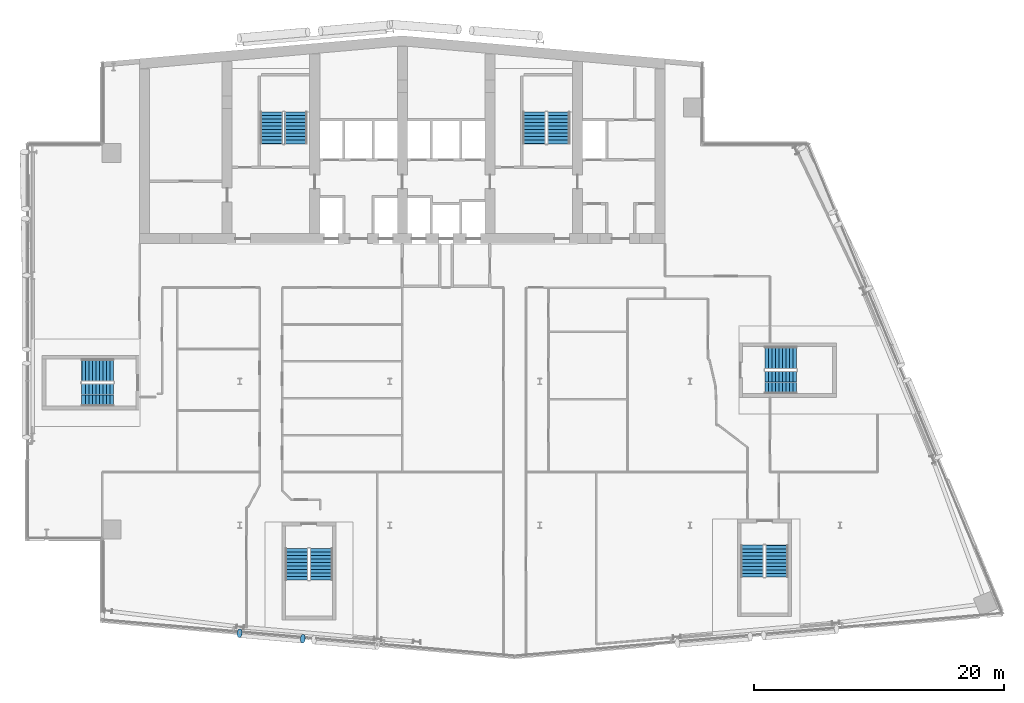
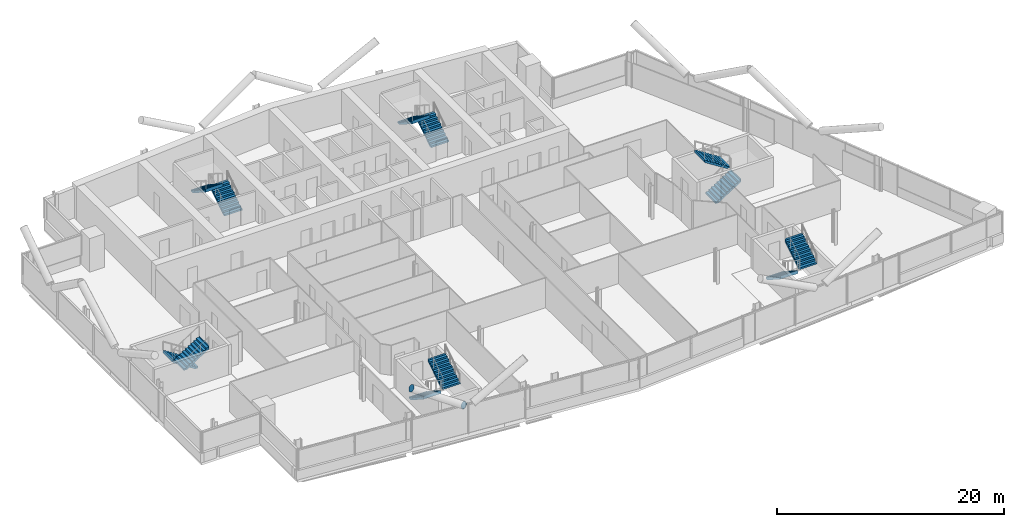
# One storey, part 19 of 26: 12 stair flights, 2 discrete accessories, 6 elements without a shape of their own.
"""IFC4 building model written with IfcOpenShell, lengths in metres."""

import ifcopenshell
import ifcopenshell.guid

model = None  # the IFC model being written
_history = None  # IfcOwnerHistory: only IFC2X3 demands one
_inside = {}  # id of a spatial element -> (the spatial element, [elements in it])
_under = {}  # id of a project, library or spatial element -> (it, [spatial elements below it])
_declared = {}  # id of a project -> (the project, [libraries it declares])
_typed = {}  # id of a type object -> (the type object, [elements of that type])
_made_of = {}  # id of a material, layer set ... -> (it, [elements and type objects made of it])


def new_model(schema):
    """Start an empty IFC model of exactly this schema.

    Asked for "IFC4X3", IfcOpenShell would pick the latest addendum, in which some entities
    have other attributes; the version numbers below select the first issue.
    IFC2X3 requires an IfcOwnerHistory on every rooted entity: one is made here for all.
    """
    global model, _history
    if schema == "IFC4X3":
        model = ifcopenshell.file(schema_version=(4, 3, 0, 0))
    else:
        model = ifcopenshell.file(schema=schema)
    _inside.clear()
    _under.clear()
    _declared.clear()
    _typed.clear()
    _made_of.clear()
    _history = None
    if model.schema == "IFC2X3":
        org = make("IfcOrganization", Name="unknown")
        user = make(
            "IfcPersonAndOrganization",
            ThePerson=make("IfcPerson", FamilyName="unknown"),
            TheOrganization=org,
        )
        app = make(
            "IfcApplication",
            ApplicationDeveloper=org,
            Version="unknown",
            ApplicationFullName="unknown",
            ApplicationIdentifier="unknown",
        )
        _history = make(
            "IfcOwnerHistory",
            OwningUser=user,
            OwningApplication=app,
            ChangeAction="ADDED",
            CreationDate=0,
        )
    return model


def make(cls, **values):
    """One entity of the class cls with the attributes given. An attribute that is None is left unset."""
    return model.create_entity(
        cls, **{name: value for name, value in values.items() if value is not None}
    )


def rooted(cls, **values):
    """An entity with a GlobalId (a new one), such as an element, a storey or a relation."""
    return make(cls, GlobalId=ifcopenshell.guid.new(), OwnerHistory=_history, **values)


def si_unit(unit_type, name, prefix=None):
    """IfcSIUnit, for example si_unit("LENGTHUNIT", "METRE", prefix="MILLI")."""
    return make("IfcSIUnit", UnitType=unit_type, Prefix=prefix, Name=name)


def assignment(units):
    """IfcUnitAssignment: the units of a project."""
    return None if units is None else make("IfcUnitAssignment", Units=units)


def point(xyz):
    """IfcCartesianPoint."""
    return None if xyz is None else make("IfcCartesianPoint", Coordinates=xyz)


def direction(xyz):
    """IfcDirection."""
    return None if xyz is None else make("IfcDirection", DirectionRatios=xyz)


def frame(location, z_axis=None, x_axis=None):
    """IfcAxis2Placement3D, a coordinate frame: its origin and axes. An axis left out is left unset."""
    return make(
        "IfcAxis2Placement3D",
        Location=point(location),
        Axis=direction(z_axis),
        RefDirection=direction(x_axis),
    )


def frame_2d(location, x_axis=None):
    """IfcAxis2Placement2D, a coordinate frame in the plane: its origin and x axis."""
    return make(
        "IfcAxis2Placement2D", Location=point(location), RefDirection=direction(x_axis)
    )


def origin():
    """The frame at (0, 0, 0) with its axes left unset."""
    return frame((0.0, 0.0, 0.0))


def origin_2d():
    """The frame at (0, 0) in the plane with its x axis left unset."""
    return frame_2d((0.0, 0.0))


def place(relative_to, where):
    """IfcLocalPlacement: puts the frame where relative to a parent placement (None: the world)."""
    return make(
        "IfcLocalPlacement", PlacementRelTo=relative_to, RelativePlacement=where
    )


def context(
    kind, dimensions, precision=None, world=None, true_north=None, identifier=None
):
    """IfcGeometricRepresentationContext, for example the 3D "Model" context."""
    return make(
        "IfcGeometricRepresentationContext",
        ContextIdentifier=identifier,
        ContextType=kind,
        CoordinateSpaceDimension=dimensions,
        Precision=precision,
        WorldCoordinateSystem=world,
        TrueNorth=true_north,
    )


def subcontext(parent, identifier, kind, view, scale=None):
    """IfcGeometricRepresentationSubContext, for example "Body" below "Model"."""
    return make(
        "IfcGeometricRepresentationSubContext",
        ContextIdentifier=identifier,
        ContextType=kind,
        ParentContext=parent,
        TargetScale=scale,
        TargetView=view,
    )


def project(units=None, contexts=None):
    """IfcProject with its units and contexts."""
    return rooted(
        "IfcProject",
        Name="project",
        RepresentationContexts=contexts,
        UnitsInContext=assignment(units),
    )


def spatial(cls, under=None, at=None, **own):
    """A site, building, storey or space (cls), placed at a placement, below another one or the project."""
    s = rooted(cls, ObjectPlacement=at, **own)
    if under is not None:
        _under.setdefault(under.id(), (under, []))[1].append(s)
    return s


def polyline(points):
    """IfcPolyline through the points."""
    return make("IfcPolyline", Points=[point(p) for p in points])


def profile(cls, at=None, kind="AREA", **sizes):
    """A parametric profile (cls). Its sizes go by their IFC names, for example OverallWidth=200.0."""
    return make(cls, ProfileType=kind, Position=at, **sizes)


def circle(**sizes):
    """IfcCircleProfileDef."""
    return profile("IfcCircleProfileDef", **sizes)


def outline(outer, holes=None, kind="AREA"):
    """IfcArbitraryClosedProfileDef: a profile drawn as a closed curve; with holes, ...WithVoids."""
    if holes is None:
        return make("IfcArbitraryClosedProfileDef", ProfileType=kind, OuterCurve=outer)
    return make(
        "IfcArbitraryProfileDefWithVoids",
        ProfileType=kind,
        OuterCurve=outer,
        InnerCurves=holes,
    )


def extrude(swept, where, along, depth):
    """IfcExtrudedAreaSolid: the profile swept, set in the frame where, extruded along a direction by depth."""
    return make(
        "IfcExtrudedAreaSolid",
        SweptArea=swept,
        Position=where,
        ExtrudedDirection=direction(along),
        Depth=depth,
    )


def shape(context_of_items, identifier, shape_type, items):
    """IfcShapeRepresentation: the items that make up one representation, for example the "Body"."""
    return make(
        "IfcShapeRepresentation",
        ContextOfItems=context_of_items,
        RepresentationIdentifier=identifier,
        RepresentationType=shape_type,
        Items=items,
    )


def material(Name=None, Category=None):
    """IfcMaterial."""
    return make("IfcMaterial", Name=Name, Category=Category)


def material_profile(
    of_material, cross_section, Name=None, Category=None, Priority=None
):
    """IfcMaterialProfile: a cross section and its material."""
    return make(
        "IfcMaterialProfile",
        Name=Name,
        Material=of_material,
        Profile=cross_section,
        Priority=Priority,
        Category=Category,
    )


def profile_set(profiles, Name=None, composite=None):
    """IfcMaterialProfileSet."""
    return make(
        "IfcMaterialProfileSet",
        Name=Name,
        MaterialProfiles=profiles,
        CompositeProfile=composite,
    )


def made_of(thing, what):
    """Note that an element or type object is made of a material, layer set ...; save() writes the relation."""
    if what is not None:
        _made_of.setdefault(what.id(), (what, []))[1].append(thing)
    return thing


def type_object(cls, material=None, **own):
    """A type object (cls), such as IfcWallType, which elements share."""
    return made_of(rooted(cls, **own), material)


def element(
    cls,
    number,
    at=None,
    inside=None,
    cuts=None,
    type_object=None,
    material=None,
    context=None,
    identifier="Body",
    shape_type=None,
    held_by="IfcProductDefinitionShape",
    body=None,
    shapes=None,
    **own,
):
    """One element of the class cls, such as IfcWall. Its Tag is "e" and its number.

    at: its placement. inside: the storey or other place that contains it. cuts: it is an
    opening in that element (IfcRelVoidsElement). A single representation is given by context,
    identifier, shape_type and body (its items); several are given by shapes. held_by: the class
    of the entity that holds the representations. save() writes the other relations.
    """
    e = rooted(cls, Tag="e%d" % number, ObjectPlacement=at, **own)
    if body is not None:
        shapes = [shape(context, identifier, shape_type, body)]
    if shapes is not None:
        e.Representation = make(held_by, Representations=shapes)
    if inside is not None:
        _inside.setdefault(inside.id(), (inside, []))[1].append(e)
    if cuts is not None:
        rooted(
            "IfcRelVoidsElement", RelatingBuildingElement=cuts, RelatedOpeningElement=e
        )
    if type_object is not None:
        _typed.setdefault(type_object.id(), (type_object, []))[1].append(e)
    return made_of(e, material)


def aggregate(whole, parts):
    """IfcRelAggregates: a whole, such as a stair, and the parts it consists of."""
    return rooted("IfcRelAggregates", RelatingObject=whole, RelatedObjects=parts)


def save(model, path):
    """Write the relations noted so far, then the file.

    IfcRelAggregates (storeys below a building ...), IfcRelContainedInSpatialStructure (elements
    in a storey), IfcRelDefinesByType, IfcRelAssociatesMaterial and IfcRelDeclares: one each for
    every whole, place, type object, material and project.
    """
    for whole, parts in _under.values():
        aggregate(whole, parts)
    for where, things in _inside.values():
        rooted(
            "IfcRelContainedInSpatialStructure",
            RelatedElements=things,
            RelatingStructure=where,
        )
    for kind, things in _typed.values():
        rooted("IfcRelDefinesByType", RelatedObjects=things, RelatingType=kind)
    for what, things in _made_of.values():
        rooted("IfcRelAssociatesMaterial", RelatedObjects=things, RelatingMaterial=what)
    for by, libraries in _declared.values():
        rooted("IfcRelDeclares", RelatingContext=by, RelatedDefinitions=libraries)
    model.write(path)


model = new_model("IFC4")

# Units and contexts
model_context = context("Model", 3, precision=1e-05, world=origin(), true_north=direction((0.0, 1.0)))
body_context = subcontext(model_context, "Body", "Model", "MODEL_VIEW")
ifc_project = project(units=[si_unit("LENGTHUNIT", "METRE"), si_unit("AREAUNIT", "SQUARE_METRE"), si_unit("VOLUMEUNIT", "CUBIC_METRE"), si_unit("PLANEANGLEUNIT", "RADIAN"), si_unit("MASSUNIT", "GRAM", prefix="KILO")], contexts=[model_context])

# Site, building, storey
site_placement = place(None, origin())
site = spatial("IfcSite", under=ifc_project, at=site_placement, CompositionType="ELEMENT")
building_placement = place(site_placement, origin())
building = spatial("IfcBuilding", under=site, at=building_placement, Name="Wharfspan Tower", CompositionType="ELEMENT")
storey_placement = place(building_placement, frame((0.0, 0.0, 173.5)))
storey = spatial("IfcBuildingStorey", under=building, at=storey_placement, Name="L42", CompositionType="ELEMENT", Elevation=173.5)

# Stair, stair flights
ifc_material_1 = material(Name="Concrete C40/50", Category="concrete")
stair_type = type_object("IfcStairType", Name="Half-turn stair 20 risers 180 mm", PredefinedType="HALF_TURN_STAIR", material=ifc_material_1)
stair_1_placement = place(storey_placement, origin())
stair_1 = element("IfcStair", 1, at=stair_1_placement, inside=storey, type_object=stair_type, Name="L42 stair ST1", PredefinedType="HALF_TURN_STAIR")
stair_flight_type = type_object("IfcStairFlightType", Name="Stair flight 20 risers 180 mm", PredefinedType="STRAIGHT", material=ifc_material_1)
stair_flight_1_placement = place(storey_placement, frame((28.5, 42.0, 0.0), z_axis=(0.0, 0.0, 1.0), x_axis=(0.0, 1.0, 0.0)))
stair_flight_1 = element("IfcStairFlight", 2, at=stair_flight_1_placement, type_object=stair_flight_type, Name="ST1 flight 1", NumberOfRisers=10, NumberOfTreads=9, PredefinedType="STRAIGHT", RiserHeight=0.18, TreadLength=0.28, context=body_context, shape_type="SweptSolid", body=[
    extrude(outline(polyline([(-0.011963, 0.0), (-0.011963, 0.179932), (0.0, 0.179932), (0.280029, 0.179932), (0.280029, 0.360107), (0.560059, 0.360107), (0.560059, 0.540039), (0.840088, 0.540039), (0.840088, 0.719971), (1.120117, 0.719971), (1.120117, 0.899902), (1.399902, 0.899902), (1.399902, 1.080078), (1.679932, 1.080078), (1.679932, 1.26001), (1.959961, 1.26001), (1.959961, 1.439941), (2.23999, 1.439941), (2.23999, 1.620117), (2.52002, 1.620117), (2.531982, 1.800049), (2.531982, 1.441895), (0.2771, 0.0), (-0.011963, 0.0)])), frame((0.0, 0.899902, 0.0), z_axis=(0.0, -1.0, 0.0), x_axis=(1.0, 0.0, 0.0)), (0.0, 0.0, 1.0), 0.899414),
    extrude(outline(polyline([(-0.011963, 0.0), (-0.011963, 0.179932), (0.0, 0.179932), (0.280029, 0.179932), (0.280029, 0.360107), (0.560059, 0.360107), (0.560059, 0.540039), (0.840088, 0.540039), (0.840088, 0.719971), (1.120117, 0.719971), (1.120117, 0.899902), (1.399902, 0.899902), (1.399902, 1.080078), (1.679932, 1.080078), (1.679932, 1.26001), (1.959961, 1.26001), (1.959961, 1.439941), (2.23999, 1.439941), (2.23999, 1.620117), (2.52002, 1.620117), (2.531982, 1.800049), (2.531982, 1.441895), (0.2771, 0.0), (-0.011963, 0.0)])), frame((0.0, -0.000488, 0.0), z_axis=(0.0, -1.0, 0.0), x_axis=(1.0, 0.0, 0.0)), (0.0, 0.0, 1.0), 0.899414),
])
stair_flight_2_placement = place(storey_placement, frame((26.550049, 44.52002, 1.800049), z_axis=(0.0, 0.0, 1.0), x_axis=(0.0, -1.0, 0.0)))
stair_flight_2 = element("IfcStairFlight", 3, at=stair_flight_2_placement, type_object=stair_flight_type, Name="ST1 flight 2", NumberOfRisers=10, NumberOfTreads=9, PredefinedType="STRAIGHT", RiserHeight=0.18, TreadLength=0.28, context=body_context, shape_type="SweptSolid", body=[
    extrude(outline(polyline([(-0.011963, 0.0), (-0.011963, 0.179932), (0.0, 0.179932), (0.280029, 0.179932), (0.280029, 0.360107), (0.560059, 0.360107), (0.560059, 0.540039), (0.840088, 0.540039), (0.840088, 0.719971), (1.120117, 0.719971), (1.120117, 0.899902), (1.399902, 0.899902), (1.399902, 1.080078), (1.679932, 1.080078), (1.679932, 1.26001), (1.959961, 1.26001), (1.959961, 1.439941), (2.23999, 1.439941), (2.23999, 1.620117), (2.52002, 1.620117), (2.531982, 1.800049), (2.531982, 1.441895), (0.2771, 0.0), (-0.011963, 0.0)])), frame((0.0, 0.899902, 0.0), z_axis=(0.0, -1.0, 0.0), x_axis=(1.0, 0.0, 0.0)), (0.0, 0.0, 1.0), 0.899414),
    extrude(outline(polyline([(-0.011963, 0.0), (-0.011963, 0.179932), (0.0, 0.179932), (0.280029, 0.179932), (0.280029, 0.360107), (0.560059, 0.360107), (0.560059, 0.540039), (0.840088, 0.540039), (0.840088, 0.719971), (1.120117, 0.719971), (1.120117, 0.899902), (1.399902, 0.899902), (1.399902, 1.080078), (1.679932, 1.080078), (1.679932, 1.26001), (1.959961, 1.26001), (1.959961, 1.439941), (2.23999, 1.439941), (2.23999, 1.620117), (2.52002, 1.620117), (2.531982, 1.800049), (2.531982, 1.441895), (0.2771, 0.0), (-0.011963, 0.0)])), frame((0.0, -0.000488, 0.0), z_axis=(0.0, -1.0, 0.0), x_axis=(1.0, 0.0, 0.0)), (0.0, 0.0, 1.0), 0.899414),
])
aggregate(stair_1, [stair_flight_1, stair_flight_2])

stair_2_placement = place(storey_placement, origin())
stair_2 = element("IfcStair", 4, at=stair_2_placement, inside=storey, type_object=stair_type, Name="L42 stair ST2", PredefinedType="HALF_TURN_STAIR")
stair_flight_3_placement = place(storey_placement, frame((49.5, 42.0, 0.0), z_axis=(0.0, 0.0, 1.0), x_axis=(0.0, 1.0, 0.0)))
stair_flight_3 = element("IfcStairFlight", 5, at=stair_flight_3_placement, type_object=stair_flight_type, Name="ST2 flight 1", NumberOfRisers=10, NumberOfTreads=9, PredefinedType="STRAIGHT", RiserHeight=0.18, TreadLength=0.28, context=body_context, shape_type="SweptSolid", body=[
    extrude(outline(polyline([(-0.011963, 0.0), (-0.011963, 0.179932), (0.0, 0.179932), (0.280029, 0.179932), (0.280029, 0.360107), (0.560059, 0.360107), (0.560059, 0.540039), (0.840088, 0.540039), (0.840088, 0.719971), (1.120117, 0.719971), (1.120117, 0.899902), (1.399902, 0.899902), (1.399902, 1.080078), (1.679932, 1.080078), (1.679932, 1.26001), (1.959961, 1.26001), (1.959961, 1.439941), (2.23999, 1.439941), (2.23999, 1.620117), (2.52002, 1.620117), (2.531982, 1.800049), (2.531982, 1.441895), (0.2771, 0.0), (-0.011963, 0.0)])), frame((0.0, 0.899902, 0.0), z_axis=(0.0, -1.0, 0.0), x_axis=(1.0, 0.0, 0.0)), (0.0, 0.0, 1.0), 0.899414),
    extrude(outline(polyline([(-0.011963, 0.0), (-0.011963, 0.179932), (0.0, 0.179932), (0.280029, 0.179932), (0.280029, 0.360107), (0.560059, 0.360107), (0.560059, 0.540039), (0.840088, 0.540039), (0.840088, 0.719971), (1.120117, 0.719971), (1.120117, 0.899902), (1.399902, 0.899902), (1.399902, 1.080078), (1.679932, 1.080078), (1.679932, 1.26001), (1.959961, 1.26001), (1.959961, 1.439941), (2.23999, 1.439941), (2.23999, 1.620117), (2.52002, 1.620117), (2.531982, 1.800049), (2.531982, 1.441895), (0.2771, 0.0), (-0.011963, 0.0)])), frame((0.0, -0.000488, 0.0), z_axis=(0.0, -1.0, 0.0), x_axis=(1.0, 0.0, 0.0)), (0.0, 0.0, 1.0), 0.899414),
])
stair_flight_4_placement = place(storey_placement, frame((47.550049, 44.52002, 1.800049), z_axis=(0.0, 0.0, 1.0), x_axis=(0.0, -1.0, 0.0)))
stair_flight_4 = element("IfcStairFlight", 6, at=stair_flight_4_placement, type_object=stair_flight_type, Name="ST2 flight 2", NumberOfRisers=10, NumberOfTreads=9, PredefinedType="STRAIGHT", RiserHeight=0.18, TreadLength=0.28, context=body_context, shape_type="SweptSolid", body=[
    extrude(outline(polyline([(-0.011963, 0.0), (-0.011963, 0.179932), (0.0, 0.179932), (0.280029, 0.179932), (0.280029, 0.360107), (0.560059, 0.360107), (0.560059, 0.540039), (0.840088, 0.540039), (0.840088, 0.719971), (1.120117, 0.719971), (1.120117, 0.899902), (1.399902, 0.899902), (1.399902, 1.080078), (1.679932, 1.080078), (1.679932, 1.26001), (1.959961, 1.26001), (1.959961, 1.439941), (2.23999, 1.439941), (2.23999, 1.620117), (2.52002, 1.620117), (2.531982, 1.800049), (2.531982, 1.441895), (0.2771, 0.0), (-0.011963, 0.0)])), frame((0.0, 0.899902, 0.0), z_axis=(0.0, -1.0, 0.0), x_axis=(1.0, 0.0, 0.0)), (0.0, 0.0, 1.0), 0.899414),
    extrude(outline(polyline([(-0.011963, 0.0), (-0.011963, 0.179932), (0.0, 0.179932), (0.280029, 0.179932), (0.280029, 0.360107), (0.560059, 0.360107), (0.560059, 0.540039), (0.840088, 0.540039), (0.840088, 0.719971), (1.120117, 0.719971), (1.120117, 0.899902), (1.399902, 0.899902), (1.399902, 1.080078), (1.679932, 1.080078), (1.679932, 1.26001), (1.959961, 1.26001), (1.959961, 1.439941), (2.23999, 1.439941), (2.23999, 1.620117), (2.52002, 1.620117), (2.531982, 1.800049), (2.531982, 1.441895), (0.2771, 0.0), (-0.011963, 0.0)])), frame((0.0, -0.000488, 0.0), z_axis=(0.0, -1.0, 0.0), x_axis=(1.0, 0.0, 0.0)), (0.0, 0.0, 1.0), 0.899414),
])
aggregate(stair_2, [stair_flight_3, stair_flight_4])

stair_3_placement = place(storey_placement, origin())
stair_3 = element("IfcStair", 7, at=stair_3_placement, inside=storey, type_object=stair_type, Name="L42 stair ST3", PredefinedType="HALF_TURN_STAIR")
stair_flight_5_placement = place(storey_placement, frame((13.899902, 23.875, 0.0), z_axis=(0.0, 0.0, 1.0), x_axis=(-1.0, 0.0, 0.0)))
stair_flight_5 = element("IfcStairFlight", 8, at=stair_flight_5_placement, type_object=stair_flight_type, Name="ST3 flight 1", NumberOfRisers=10, NumberOfTreads=9, PredefinedType="STRAIGHT", RiserHeight=0.18, TreadLength=0.28, context=body_context, shape_type="SweptSolid", body=[
    extrude(outline(polyline([(-0.011963, 0.0), (-0.011963, 0.179932), (0.0, 0.179932), (0.280029, 0.179932), (0.280029, 0.360107), (0.560059, 0.360107), (0.560059, 0.540039), (0.840088, 0.540039), (0.840088, 0.719971), (1.120117, 0.719971), (1.120117, 0.899902), (1.399902, 0.899902), (1.399902, 1.080078), (1.679932, 1.080078), (1.679932, 1.26001), (1.959961, 1.26001), (1.959961, 1.439941), (2.23999, 1.439941), (2.23999, 1.620117), (2.52002, 1.620117), (2.531982, 1.800049), (2.531982, 1.441895), (0.2771, 0.0), (-0.011963, 0.0)])), frame((0.0, 0.899902, 0.0), z_axis=(0.0, -1.0, 0.0), x_axis=(1.0, 0.0, 0.0)), (0.0, 0.0, 1.0), 0.899414),
    extrude(outline(polyline([(-0.011963, 0.0), (-0.011963, 0.179932), (0.0, 0.179932), (0.280029, 0.179932), (0.280029, 0.360107), (0.560059, 0.360107), (0.560059, 0.540039), (0.840088, 0.540039), (0.840088, 0.719971), (1.120117, 0.719971), (1.120117, 0.899902), (1.399902, 0.899902), (1.399902, 1.080078), (1.679932, 1.080078), (1.679932, 1.26001), (1.959961, 1.26001), (1.959961, 1.439941), (2.23999, 1.439941), (2.23999, 1.620117), (2.52002, 1.620117), (2.531982, 1.800049), (2.531982, 1.441895), (0.2771, 0.0), (-0.011963, 0.0)])), frame((0.0, -0.000488, 0.0), z_axis=(0.0, -1.0, 0.0), x_axis=(1.0, 0.0, 0.0)), (0.0, 0.0, 1.0), 0.899414),
])
stair_flight_6_placement = place(storey_placement, frame((11.379883, 21.925049, 1.800049), z_axis=(0.0, 0.0, 1.0), x_axis=(1.0, 0.0, 0.0)))
stair_flight_6 = element("IfcStairFlight", 9, at=stair_flight_6_placement, type_object=stair_flight_type, Name="ST3 flight 2", NumberOfRisers=10, NumberOfTreads=9, PredefinedType="STRAIGHT", RiserHeight=0.18, TreadLength=0.28, context=body_context, shape_type="SweptSolid", body=[
    extrude(outline(polyline([(-0.011963, 0.0), (-0.011963, 0.179932), (0.0, 0.179932), (0.280029, 0.179932), (0.280029, 0.360107), (0.560059, 0.360107), (0.560059, 0.540039), (0.840088, 0.540039), (0.840088, 0.719971), (1.120117, 0.719971), (1.120117, 0.899902), (1.399902, 0.899902), (1.399902, 1.080078), (1.679932, 1.080078), (1.679932, 1.26001), (1.959961, 1.26001), (1.959961, 1.439941), (2.23999, 1.439941), (2.23999, 1.620117), (2.52002, 1.620117), (2.531982, 1.800049), (2.531982, 1.441895), (0.2771, 0.0), (-0.011963, 0.0)])), frame((0.0, 0.899902, 0.0), z_axis=(0.0, -1.0, 0.0), x_axis=(1.0, 0.0, 0.0)), (0.0, 0.0, 1.0), 0.899414),
    extrude(outline(polyline([(-0.011963, 0.0), (-0.011963, 0.179932), (0.0, 0.179932), (0.280029, 0.179932), (0.280029, 0.360107), (0.560059, 0.360107), (0.560059, 0.540039), (0.840088, 0.540039), (0.840088, 0.719971), (1.120117, 0.719971), (1.120117, 0.899902), (1.399902, 0.899902), (1.399902, 1.080078), (1.679932, 1.080078), (1.679932, 1.26001), (1.959961, 1.26001), (1.959961, 1.439941), (2.23999, 1.439941), (2.23999, 1.620117), (2.52002, 1.620117), (2.531982, 1.800049), (2.531982, 1.441895), (0.2771, 0.0), (-0.011963, 0.0)])), frame((0.0, -0.000488, 0.0), z_axis=(0.0, -1.0, 0.0), x_axis=(1.0, 0.0, 0.0)), (0.0, 0.0, 1.0), 0.899414),
])
aggregate(stair_3, [stair_flight_5, stair_flight_6])

stair_4_placement = place(storey_placement, origin())
stair_4 = element("IfcStair", 10, at=stair_4_placement, inside=storey, type_object=stair_type, Name="L42 stair ST4", PredefinedType="HALF_TURN_STAIR")
stair_flight_7_placement = place(storey_placement, frame((28.564209, 9.634277, 0.0), z_axis=(0.0, 0.0, 1.0), x_axis=(0.0, -1.0, 0.0)))
stair_flight_7 = element("IfcStairFlight", 11, at=stair_flight_7_placement, type_object=stair_flight_type, Name="ST4 flight 1", NumberOfRisers=10, NumberOfTreads=9, PredefinedType="STRAIGHT", RiserHeight=0.18, TreadLength=0.28, context=body_context, shape_type="SweptSolid", body=[
    extrude(outline(polyline([(-0.011963, 0.0), (-0.011963, 0.179932), (0.0, 0.179932), (0.280029, 0.179932), (0.280029, 0.360107), (0.560059, 0.360107), (0.560059, 0.540039), (0.840088, 0.540039), (0.840088, 0.719971), (1.120117, 0.719971), (1.120117, 0.899902), (1.399902, 0.899902), (1.399902, 1.080078), (1.679932, 1.080078), (1.679932, 1.26001), (1.959961, 1.26001), (1.959961, 1.439941), (2.23999, 1.439941), (2.23999, 1.620117), (2.52002, 1.620117), (2.531982, 1.800049), (2.531982, 1.441895), (0.2771, 0.0), (-0.011963, 0.0)])), frame((0.0, 0.899902, 0.0), z_axis=(0.0, -1.0, 0.0), x_axis=(1.0, 0.0, 0.0)), (0.0, 0.0, 1.0), 0.899414),
    extrude(outline(polyline([(-0.011963, 0.0), (-0.011963, 0.179932), (0.0, 0.179932), (0.280029, 0.179932), (0.280029, 0.360107), (0.560059, 0.360107), (0.560059, 0.540039), (0.840088, 0.540039), (0.840088, 0.719971), (1.120117, 0.719971), (1.120117, 0.899902), (1.399902, 0.899902), (1.399902, 1.080078), (1.679932, 1.080078), (1.679932, 1.26001), (1.959961, 1.26001), (1.959961, 1.439941), (2.23999, 1.439941), (2.23999, 1.620117), (2.52002, 1.620117), (2.531982, 1.800049), (2.531982, 1.441895), (0.2771, 0.0), (-0.011963, 0.0)])), frame((0.0, -0.000488, 0.0), z_axis=(0.0, -1.0, 0.0), x_axis=(1.0, 0.0, 0.0)), (0.0, 0.0, 1.0), 0.899414),
])
stair_flight_8_placement = place(storey_placement, frame((30.51416, 7.114258, 1.800049), z_axis=(0.0, 0.0, 1.0), x_axis=(0.0, 1.0, 0.0)))
stair_flight_8 = element("IfcStairFlight", 12, at=stair_flight_8_placement, type_object=stair_flight_type, Name="ST4 flight 2", NumberOfRisers=10, NumberOfTreads=9, PredefinedType="STRAIGHT", RiserHeight=0.18, TreadLength=0.28, context=body_context, shape_type="SweptSolid", body=[
    extrude(outline(polyline([(-0.011963, 0.0), (-0.011963, 0.179932), (0.0, 0.179932), (0.280029, 0.179932), (0.280029, 0.360107), (0.560059, 0.360107), (0.560059, 0.540039), (0.840088, 0.540039), (0.840088, 0.719971), (1.120117, 0.719971), (1.120117, 0.899902), (1.399902, 0.899902), (1.399902, 1.080078), (1.679932, 1.080078), (1.679932, 1.26001), (1.959961, 1.26001), (1.959961, 1.439941), (2.23999, 1.439941), (2.23999, 1.620117), (2.52002, 1.620117), (2.531982, 1.800049), (2.531982, 1.441895), (0.2771, 0.0), (-0.011963, 0.0)])), frame((0.0, 0.899902, 0.0), z_axis=(0.0, -1.0, 0.0), x_axis=(1.0, 0.0, 0.0)), (0.0, 0.0, 1.0), 0.899414),
    extrude(outline(polyline([(-0.011963, 0.0), (-0.011963, 0.179932), (0.0, 0.179932), (0.280029, 0.179932), (0.280029, 0.360107), (0.560059, 0.360107), (0.560059, 0.540039), (0.840088, 0.540039), (0.840088, 0.719971), (1.120117, 0.719971), (1.120117, 0.899902), (1.399902, 0.899902), (1.399902, 1.080078), (1.679932, 1.080078), (1.679932, 1.26001), (1.959961, 1.26001), (1.959961, 1.439941), (2.23999, 1.439941), (2.23999, 1.620117), (2.52002, 1.620117), (2.531982, 1.800049), (2.531982, 1.441895), (0.2771, 0.0), (-0.011963, 0.0)])), frame((0.0, -0.000488, 0.0), z_axis=(0.0, -1.0, 0.0), x_axis=(1.0, 0.0, 0.0)), (0.0, 0.0, 1.0), 0.899414),
])
aggregate(stair_4, [stair_flight_7, stair_flight_8])

stair_5_placement = place(storey_placement, origin())
stair_5 = element("IfcStair", 13, at=stair_5_placement, inside=storey, type_object=stair_type, Name="L42 stair ST5", PredefinedType="HALF_TURN_STAIR")
stair_flight_9_placement = place(storey_placement, frame((64.986328, 9.883789, 0.0), z_axis=(0.0, 0.0, 1.0), x_axis=(0.0, -1.0, 0.0)))
stair_flight_9 = element("IfcStairFlight", 14, at=stair_flight_9_placement, type_object=stair_flight_type, Name="ST5 flight 1", NumberOfRisers=10, NumberOfTreads=9, PredefinedType="STRAIGHT", RiserHeight=0.18, TreadLength=0.28, context=body_context, shape_type="SweptSolid", body=[
    extrude(outline(polyline([(-0.011963, 0.0), (-0.011963, 0.179932), (0.0, 0.179932), (0.280029, 0.179932), (0.280029, 0.360107), (0.560059, 0.360107), (0.560059, 0.540039), (0.840088, 0.540039), (0.840088, 0.719971), (1.120117, 0.719971), (1.120117, 0.899902), (1.399902, 0.899902), (1.399902, 1.080078), (1.679932, 1.080078), (1.679932, 1.26001), (1.959961, 1.26001), (1.959961, 1.439941), (2.23999, 1.439941), (2.23999, 1.620117), (2.52002, 1.620117), (2.531982, 1.800049), (2.531982, 1.441895), (0.2771, 0.0), (-0.011963, 0.0)])), frame((0.0, 0.899902, 0.0), z_axis=(0.0, -1.0, 0.0), x_axis=(1.0, 0.0, 0.0)), (0.0, 0.0, 1.0), 0.899414),
    extrude(outline(polyline([(-0.011963, 0.0), (-0.011963, 0.179932), (0.0, 0.179932), (0.280029, 0.179932), (0.280029, 0.360107), (0.560059, 0.360107), (0.560059, 0.540039), (0.840088, 0.540039), (0.840088, 0.719971), (1.120117, 0.719971), (1.120117, 0.899902), (1.399902, 0.899902), (1.399902, 1.080078), (1.679932, 1.080078), (1.679932, 1.26001), (1.959961, 1.26001), (1.959961, 1.439941), (2.23999, 1.439941), (2.23999, 1.620117), (2.52002, 1.620117), (2.531982, 1.800049), (2.531982, 1.441895), (0.2771, 0.0), (-0.011963, 0.0)])), frame((0.0, -0.000488, 0.0), z_axis=(0.0, -1.0, 0.0), x_axis=(1.0, 0.0, 0.0)), (0.0, 0.0, 1.0), 0.899414),
])
stair_flight_10_placement = place(storey_placement, frame((66.936279, 7.36377, 1.800049), z_axis=(0.0, 0.0, 1.0), x_axis=(0.0, 1.0, 0.0)))
stair_flight_10 = element("IfcStairFlight", 15, at=stair_flight_10_placement, type_object=stair_flight_type, Name="ST5 flight 2", NumberOfRisers=10, NumberOfTreads=9, PredefinedType="STRAIGHT", RiserHeight=0.18, TreadLength=0.28, context=body_context, shape_type="SweptSolid", body=[
    extrude(outline(polyline([(-0.011963, 0.0), (-0.011963, 0.179932), (0.0, 0.179932), (0.280029, 0.179932), (0.280029, 0.360107), (0.560059, 0.360107), (0.560059, 0.540039), (0.840088, 0.540039), (0.840088, 0.719971), (1.120117, 0.719971), (1.120117, 0.899902), (1.399902, 0.899902), (1.399902, 1.080078), (1.679932, 1.080078), (1.679932, 1.26001), (1.959961, 1.26001), (1.959961, 1.439941), (2.23999, 1.439941), (2.23999, 1.620117), (2.52002, 1.620117), (2.531982, 1.800049), (2.531982, 1.441895), (0.2771, 0.0), (-0.011963, 0.0)])), frame((0.0, 0.899902, 0.0), z_axis=(0.0, -1.0, 0.0), x_axis=(1.0, 0.0, 0.0)), (0.0, 0.0, 1.0), 0.899414),
    extrude(outline(polyline([(-0.011963, 0.0), (-0.011963, 0.179932), (0.0, 0.179932), (0.280029, 0.179932), (0.280029, 0.360107), (0.560059, 0.360107), (0.560059, 0.540039), (0.840088, 0.540039), (0.840088, 0.719971), (1.120117, 0.719971), (1.120117, 0.899902), (1.399902, 0.899902), (1.399902, 1.080078), (1.679932, 1.080078), (1.679932, 1.26001), (1.959961, 1.26001), (1.959961, 1.439941), (2.23999, 1.439941), (2.23999, 1.620117), (2.52002, 1.620117), (2.531982, 1.800049), (2.531982, 1.441895), (0.2771, 0.0), (-0.011963, 0.0)])), frame((0.0, -0.000488, 0.0), z_axis=(0.0, -1.0, 0.0), x_axis=(1.0, 0.0, 0.0)), (0.0, 0.0, 1.0), 0.899414),
])
aggregate(stair_5, [stair_flight_9, stair_flight_10])

stair_6_placement = place(storey_placement, origin())
stair_6 = element("IfcStair", 16, at=stair_6_placement, inside=storey, type_object=stair_type, Name="L42 stair ST6", PredefinedType="HALF_TURN_STAIR")
stair_flight_11_placement = place(storey_placement, frame((66.004639, 22.925049, 0.0), z_axis=(0.0, 0.0, 1.0), x_axis=(1.0, 0.0, 0.0)))
stair_flight_11 = element("IfcStairFlight", 17, at=stair_flight_11_placement, type_object=stair_flight_type, Name="ST6 flight 1", NumberOfRisers=10, NumberOfTreads=9, PredefinedType="STRAIGHT", RiserHeight=0.18, TreadLength=0.28, context=body_context, shape_type="SweptSolid", body=[
    extrude(outline(polyline([(-0.011963, 0.0), (-0.011963, 0.179932), (0.0, 0.179932), (0.280029, 0.179932), (0.280029, 0.360107), (0.560059, 0.360107), (0.560059, 0.540039), (0.840088, 0.540039), (0.840088, 0.719971), (1.120117, 0.719971), (1.120117, 0.899902), (1.399902, 0.899902), (1.399902, 1.080078), (1.679932, 1.080078), (1.679932, 1.26001), (1.959961, 1.26001), (1.959961, 1.439941), (2.23999, 1.439941), (2.23999, 1.620117), (2.52002, 1.620117), (2.531982, 1.800049), (2.531982, 1.441895), (0.2771, 0.0), (-0.011963, 0.0)])), frame((0.0, 0.899902, 0.0), z_axis=(0.0, -1.0, 0.0), x_axis=(1.0, 0.0, 0.0)), (0.0, 0.0, 1.0), 0.899414),
    extrude(outline(polyline([(-0.011963, 0.0), (-0.011963, 0.179932), (0.0, 0.179932), (0.280029, 0.179932), (0.280029, 0.360107), (0.560059, 0.360107), (0.560059, 0.540039), (0.840088, 0.540039), (0.840088, 0.719971), (1.120117, 0.719971), (1.120117, 0.899902), (1.399902, 0.899902), (1.399902, 1.080078), (1.679932, 1.080078), (1.679932, 1.26001), (1.959961, 1.26001), (1.959961, 1.439941), (2.23999, 1.439941), (2.23999, 1.620117), (2.52002, 1.620117), (2.531982, 1.800049), (2.531982, 1.441895), (0.2771, 0.0), (-0.011963, 0.0)])), frame((0.0, -0.000488, 0.0), z_axis=(0.0, -1.0, 0.0), x_axis=(1.0, 0.0, 0.0)), (0.0, 0.0, 1.0), 0.899414),
])
stair_flight_12_placement = place(storey_placement, frame((68.524658, 24.875, 1.800049), z_axis=(0.0, 0.0, 1.0), x_axis=(-1.0, 0.0, 0.0)))
stair_flight_12 = element("IfcStairFlight", 18, at=stair_flight_12_placement, type_object=stair_flight_type, Name="ST6 flight 2", NumberOfRisers=10, NumberOfTreads=9, PredefinedType="STRAIGHT", RiserHeight=0.18, TreadLength=0.28, context=body_context, shape_type="SweptSolid", body=[
    extrude(outline(polyline([(-0.011963, 0.0), (-0.011963, 0.179932), (0.0, 0.179932), (0.280029, 0.179932), (0.280029, 0.360107), (0.560059, 0.360107), (0.560059, 0.540039), (0.840088, 0.540039), (0.840088, 0.719971), (1.120117, 0.719971), (1.120117, 0.899902), (1.399902, 0.899902), (1.399902, 1.080078), (1.679932, 1.080078), (1.679932, 1.26001), (1.959961, 1.26001), (1.959961, 1.439941), (2.23999, 1.439941), (2.23999, 1.620117), (2.52002, 1.620117), (2.531982, 1.800049), (2.531982, 1.441895), (0.2771, 0.0), (-0.011963, 0.0)])), frame((0.0, 0.899902, 0.0), z_axis=(0.0, -1.0, 0.0), x_axis=(1.0, 0.0, 0.0)), (0.0, 0.0, 1.0), 0.899414),
    extrude(outline(polyline([(-0.011963, 0.0), (-0.011963, 0.179932), (0.0, 0.179932), (0.280029, 0.179932), (0.280029, 0.360107), (0.560059, 0.360107), (0.560059, 0.540039), (0.840088, 0.540039), (0.840088, 0.719971), (1.120117, 0.719971), (1.120117, 0.899902), (1.399902, 0.899902), (1.399902, 1.080078), (1.679932, 1.080078), (1.679932, 1.26001), (1.959961, 1.26001), (1.959961, 1.439941), (2.23999, 1.439941), (2.23999, 1.620117), (2.52002, 1.620117), (2.531982, 1.800049), (2.531982, 1.441895), (0.2771, 0.0), (-0.011963, 0.0)])), frame((0.0, -0.000488, 0.0), z_axis=(0.0, -1.0, 0.0), x_axis=(1.0, 0.0, 0.0)), (0.0, 0.0, 1.0), 0.899414),
])
aggregate(stair_6, [stair_flight_11, stair_flight_12])

# Discrete accessories
ifc_material_2 = material(Name="Steel S460NH", Category="steel")
ifc_material_profile = material_profile(ifc_material_2, circle(Radius=0.355469, at=origin_2d()))
ifc_profile_set = profile_set([ifc_material_profile], Name="Steel S460NH")
discrete_accessory_type = type_object("IfcDiscreteAccessoryType", Name="End plate CHS 711x36", PredefinedType="BRACKET", material=ifc_profile_set)
for number, where, z_axis, x_axis, name in (
    (19, (29.051758, 2.415527, 3.19043), (-0.844416, 0.072379, 0.530776), (-0.085402, -0.99635, 0.0), "End plate CHS 711x36"),
    (20, (23.995117, 2.85791, 6.5), (-0.837276, 0.073877, 0.541767), (-0.087893, -0.996132, 1e-06), "End plate CHS 711x36"),
):
    element("IfcDiscreteAccessory", number, at=place(storey_placement, frame(where, z_axis=z_axis, x_axis=x_axis)), inside=storey, type_object=discrete_accessory_type, Name=name, PredefinedType="BRACKET", context=body_context, shape_type="SweptSolid", body=[
        extrude(circle(Radius=0.355469, at=origin_2d()), origin(), (0.0, 0.0, 1.0), 0.01001),
    ])

save(model, "model.ifc")
